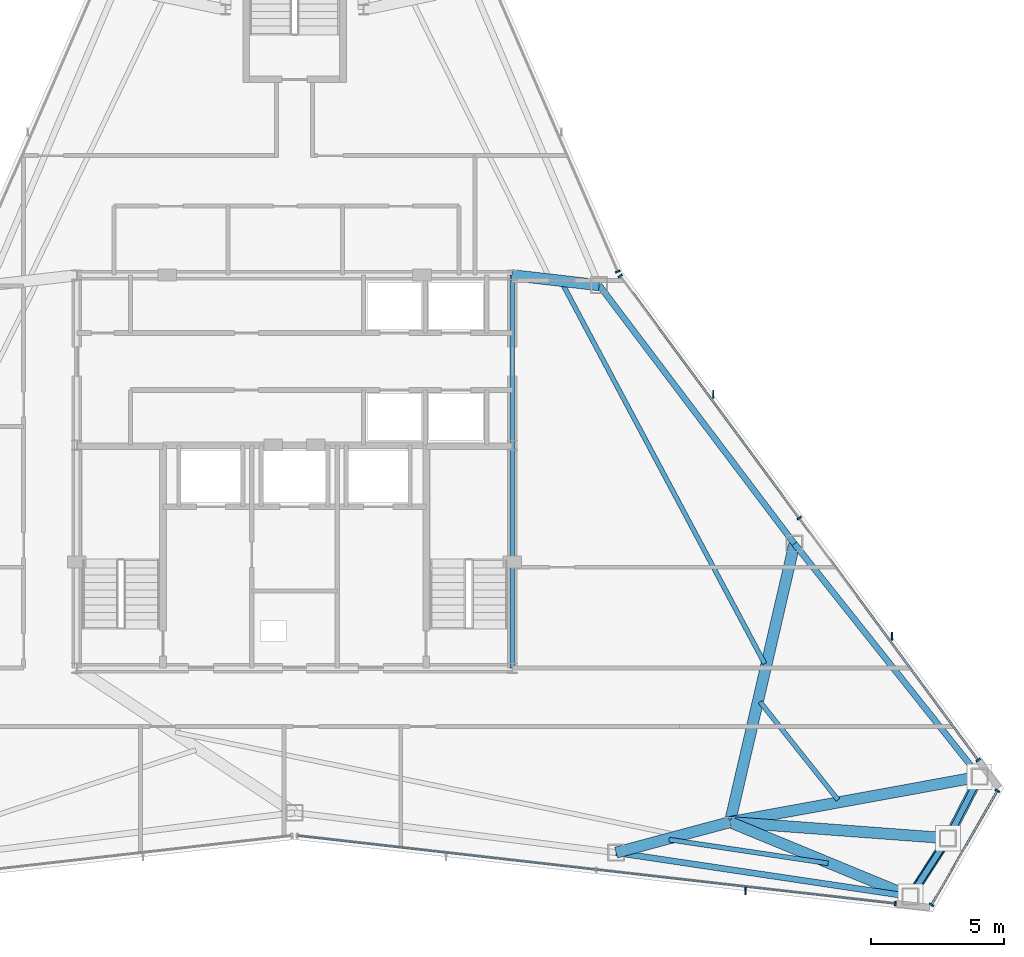
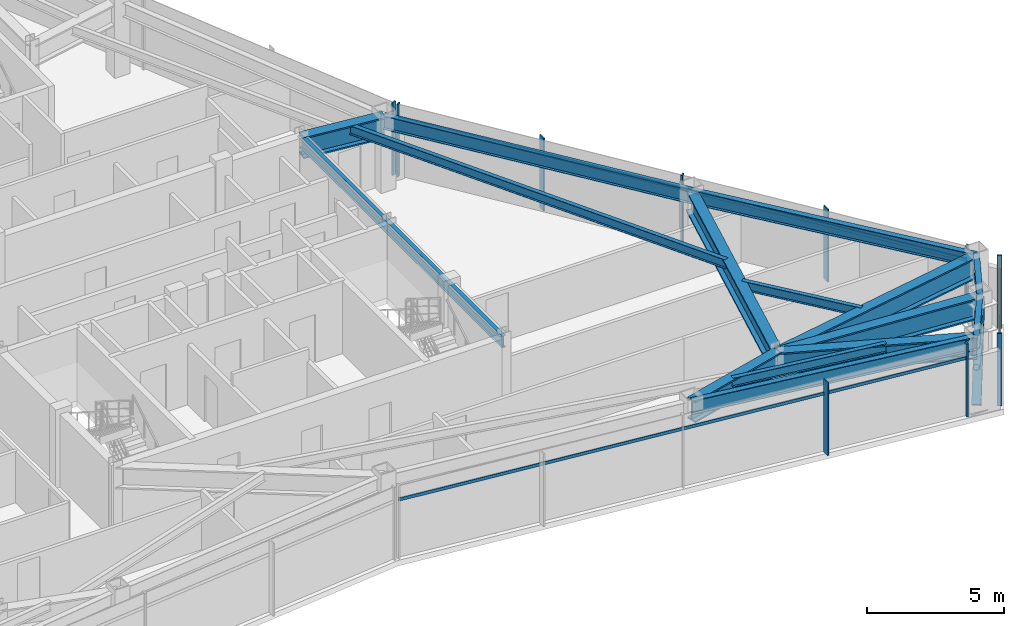
# One storey, part 6 of 12: 16 members, 15 beams, 4 elements without a shape of their own.
"""IFC4 building model written with IfcOpenShell, lengths in metres."""

import ifcopenshell
import ifcopenshell.guid

model = None  # the IFC model being written
_history = None  # IfcOwnerHistory: only IFC2X3 demands one
_inside = {}  # id of a spatial element -> (the spatial element, [elements in it])
_under = {}  # id of a project, library or spatial element -> (it, [spatial elements below it])
_declared = {}  # id of a project -> (the project, [libraries it declares])
_typed = {}  # id of a type object -> (the type object, [elements of that type])
_made_of = {}  # id of a material, layer set ... -> (it, [elements and type objects made of it])


def new_model(schema):
    """Start an empty IFC model of exactly this schema.

    Asked for "IFC4X3", IfcOpenShell would pick the latest addendum, in which some entities
    have other attributes; the version numbers below select the first issue.
    IFC2X3 requires an IfcOwnerHistory on every rooted entity: one is made here for all.
    """
    global model, _history
    if schema == "IFC4X3":
        model = ifcopenshell.file(schema_version=(4, 3, 0, 0))
    else:
        model = ifcopenshell.file(schema=schema)
    _inside.clear()
    _under.clear()
    _declared.clear()
    _typed.clear()
    _made_of.clear()
    _history = None
    if model.schema == "IFC2X3":
        org = make("IfcOrganization", Name="unknown")
        user = make(
            "IfcPersonAndOrganization",
            ThePerson=make("IfcPerson", FamilyName="unknown"),
            TheOrganization=org,
        )
        app = make(
            "IfcApplication",
            ApplicationDeveloper=org,
            Version="unknown",
            ApplicationFullName="unknown",
            ApplicationIdentifier="unknown",
        )
        _history = make(
            "IfcOwnerHistory",
            OwningUser=user,
            OwningApplication=app,
            ChangeAction="ADDED",
            CreationDate=0,
        )
    return model


def make(cls, **values):
    """One entity of the class cls with the attributes given. An attribute that is None is left unset."""
    return model.create_entity(
        cls, **{name: value for name, value in values.items() if value is not None}
    )


def rooted(cls, **values):
    """An entity with a GlobalId (a new one), such as an element, a storey or a relation."""
    return make(cls, GlobalId=ifcopenshell.guid.new(), OwnerHistory=_history, **values)


def si_unit(unit_type, name, prefix=None):
    """IfcSIUnit, for example si_unit("LENGTHUNIT", "METRE", prefix="MILLI")."""
    return make("IfcSIUnit", UnitType=unit_type, Prefix=prefix, Name=name)


def assignment(units):
    """IfcUnitAssignment: the units of a project."""
    return None if units is None else make("IfcUnitAssignment", Units=units)


def point(xyz):
    """IfcCartesianPoint."""
    return None if xyz is None else make("IfcCartesianPoint", Coordinates=xyz)


def direction(xyz):
    """IfcDirection."""
    return None if xyz is None else make("IfcDirection", DirectionRatios=xyz)


def frame(location, z_axis=None, x_axis=None):
    """IfcAxis2Placement3D, a coordinate frame: its origin and axes. An axis left out is left unset."""
    return make(
        "IfcAxis2Placement3D",
        Location=point(location),
        Axis=direction(z_axis),
        RefDirection=direction(x_axis),
    )


def frame_2d(location, x_axis=None):
    """IfcAxis2Placement2D, a coordinate frame in the plane: its origin and x axis."""
    return make(
        "IfcAxis2Placement2D", Location=point(location), RefDirection=direction(x_axis)
    )


def origin():
    """The frame at (0, 0, 0) with its axes left unset."""
    return frame((0.0, 0.0, 0.0))


def origin_2d():
    """The frame at (0, 0) in the plane with its x axis left unset."""
    return frame_2d((0.0, 0.0))


def place(relative_to, where):
    """IfcLocalPlacement: puts the frame where relative to a parent placement (None: the world)."""
    return make(
        "IfcLocalPlacement", PlacementRelTo=relative_to, RelativePlacement=where
    )


def context(
    kind, dimensions, precision=None, world=None, true_north=None, identifier=None
):
    """IfcGeometricRepresentationContext, for example the 3D "Model" context."""
    return make(
        "IfcGeometricRepresentationContext",
        ContextIdentifier=identifier,
        ContextType=kind,
        CoordinateSpaceDimension=dimensions,
        Precision=precision,
        WorldCoordinateSystem=world,
        TrueNorth=true_north,
    )


def subcontext(parent, identifier, kind, view, scale=None):
    """IfcGeometricRepresentationSubContext, for example "Body" below "Model"."""
    return make(
        "IfcGeometricRepresentationSubContext",
        ContextIdentifier=identifier,
        ContextType=kind,
        ParentContext=parent,
        TargetScale=scale,
        TargetView=view,
    )


def project(units=None, contexts=None):
    """IfcProject with its units and contexts."""
    return rooted(
        "IfcProject",
        Name="project",
        RepresentationContexts=contexts,
        UnitsInContext=assignment(units),
    )


def spatial(cls, under=None, at=None, **own):
    """A site, building, storey or space (cls), placed at a placement, below another one or the project."""
    s = rooted(cls, ObjectPlacement=at, **own)
    if under is not None:
        _under.setdefault(under.id(), (under, []))[1].append(s)
    return s


def profile(cls, at=None, kind="AREA", **sizes):
    """A parametric profile (cls). Its sizes go by their IFC names, for example OverallWidth=200.0."""
    return make(cls, ProfileType=kind, Position=at, **sizes)


def rectangle(**sizes):
    """IfcRectangleProfileDef."""
    return profile("IfcRectangleProfileDef", **sizes)


def hollow_rectangle(**sizes):
    """IfcRectangleHollowProfileDef."""
    return profile("IfcRectangleHollowProfileDef", **sizes)


def hollow_circle(**sizes):
    """IfcCircleHollowProfileDef."""
    return profile("IfcCircleHollowProfileDef", **sizes)


def i_section(**sizes):
    """IfcIShapeProfileDef."""
    return profile("IfcIShapeProfileDef", **sizes)


def extrude(swept, where, along, depth):
    """IfcExtrudedAreaSolid: the profile swept, set in the frame where, extruded along a direction by depth."""
    return make(
        "IfcExtrudedAreaSolid",
        SweptArea=swept,
        Position=where,
        ExtrudedDirection=direction(along),
        Depth=depth,
    )


def shape(context_of_items, identifier, shape_type, items):
    """IfcShapeRepresentation: the items that make up one representation, for example the "Body"."""
    return make(
        "IfcShapeRepresentation",
        ContextOfItems=context_of_items,
        RepresentationIdentifier=identifier,
        RepresentationType=shape_type,
        Items=items,
    )


def source(mapping_origin, context_of_items, identifier, shape_type, items):
    """IfcRepresentationMap: a shape defined once, which mapped items show again and again."""
    return make(
        "IfcRepresentationMap",
        MappingOrigin=mapping_origin,
        MappedRepresentation=shape(context_of_items, identifier, shape_type, items),
    )


def transform(
    local_origin,
    x_axis=None,
    y_axis=None,
    z_axis=None,
    scale=None,
    scale2=None,
    scale3=None,
    uniform=True,
):
    """IfcCartesianTransformationOperator3D, or its non-uniform kind. x_axis, y_axis, z_axis: its Axis1, 2, 3."""
    if uniform:
        return make(
            "IfcCartesianTransformationOperator3D",
            Axis1=direction(x_axis),
            Axis2=direction(y_axis),
            LocalOrigin=point(local_origin),
            Scale=scale,
            Axis3=direction(z_axis),
        )
    return make(
        "IfcCartesianTransformationOperator3DnonUniform",
        Axis1=direction(x_axis),
        Axis2=direction(y_axis),
        LocalOrigin=point(local_origin),
        Scale=scale,
        Axis3=direction(z_axis),
        Scale2=scale2,
        Scale3=scale3,
    )


def mapped(mapping_source, mapping_target):
    """IfcMappedItem: shows the shape of a source again, moved by a transform."""
    return make(
        "IfcMappedItem", MappingSource=mapping_source, MappingTarget=mapping_target
    )


def material(Name=None, Category=None):
    """IfcMaterial."""
    return make("IfcMaterial", Name=Name, Category=Category)


def layer(
    of_material, thickness, ventilated=None, Name=None, Category=None, Priority=None
):
    """IfcMaterialLayer: one layer of a wall or slab, of a material (None: an air gap)."""
    return make(
        "IfcMaterialLayer",
        Material=of_material,
        LayerThickness=thickness,
        IsVentilated=ventilated,
        Name=Name,
        Category=Category,
        Priority=Priority,
    )


def layer_set(layers, Name=None):
    """IfcMaterialLayerSet."""
    return make("IfcMaterialLayerSet", MaterialLayers=layers, LayerSetName=Name)


def material_profile(
    of_material, cross_section, Name=None, Category=None, Priority=None
):
    """IfcMaterialProfile: a cross section and its material."""
    return make(
        "IfcMaterialProfile",
        Name=Name,
        Material=of_material,
        Profile=cross_section,
        Priority=Priority,
        Category=Category,
    )


def profile_set(profiles, Name=None, composite=None):
    """IfcMaterialProfileSet."""
    return make(
        "IfcMaterialProfileSet",
        Name=Name,
        MaterialProfiles=profiles,
        CompositeProfile=composite,
    )


def made_of(thing, what):
    """Note that an element or type object is made of a material, layer set ...; save() writes the relation."""
    if what is not None:
        _made_of.setdefault(what.id(), (what, []))[1].append(thing)
    return thing


def type_object(cls, material=None, **own):
    """A type object (cls), such as IfcWallType, which elements share."""
    return made_of(rooted(cls, **own), material)


def type_shapes(of_type, sources):
    """Give a type object the sources (RepresentationMaps) that its elements show as mapped items."""
    of_type.RepresentationMaps = sources


def element(
    cls,
    number,
    at=None,
    inside=None,
    cuts=None,
    type_object=None,
    material=None,
    context=None,
    identifier="Body",
    shape_type=None,
    held_by="IfcProductDefinitionShape",
    body=None,
    shapes=None,
    **own,
):
    """One element of the class cls, such as IfcWall. Its Tag is "e" and its number.

    at: its placement. inside: the storey or other place that contains it. cuts: it is an
    opening in that element (IfcRelVoidsElement). A single representation is given by context,
    identifier, shape_type and body (its items); several are given by shapes. held_by: the class
    of the entity that holds the representations. save() writes the other relations.
    """
    e = rooted(cls, Tag="e%d" % number, ObjectPlacement=at, **own)
    if body is not None:
        shapes = [shape(context, identifier, shape_type, body)]
    if shapes is not None:
        e.Representation = make(held_by, Representations=shapes)
    if inside is not None:
        _inside.setdefault(inside.id(), (inside, []))[1].append(e)
    if cuts is not None:
        rooted(
            "IfcRelVoidsElement", RelatingBuildingElement=cuts, RelatedOpeningElement=e
        )
    if type_object is not None:
        _typed.setdefault(type_object.id(), (type_object, []))[1].append(e)
    return made_of(e, material)


def aggregate(whole, parts):
    """IfcRelAggregates: a whole, such as a stair, and the parts it consists of."""
    return rooted("IfcRelAggregates", RelatingObject=whole, RelatedObjects=parts)


def save(model, path):
    """Write the relations noted so far, then the file.

    IfcRelAggregates (storeys below a building ...), IfcRelContainedInSpatialStructure (elements
    in a storey), IfcRelDefinesByType, IfcRelAssociatesMaterial and IfcRelDeclares: one each for
    every whole, place, type object, material and project.
    """
    for whole, parts in _under.values():
        aggregate(whole, parts)
    for where, things in _inside.values():
        rooted(
            "IfcRelContainedInSpatialStructure",
            RelatedElements=things,
            RelatingStructure=where,
        )
    for kind, things in _typed.values():
        rooted("IfcRelDefinesByType", RelatedObjects=things, RelatingType=kind)
    for what, things in _made_of.values():
        rooted("IfcRelAssociatesMaterial", RelatedObjects=things, RelatingMaterial=what)
    for by, libraries in _declared.values():
        rooted("IfcRelDeclares", RelatingContext=by, RelatedDefinitions=libraries)
    model.write(path)


model = new_model("IFC4")

# Units and contexts
model_context = context("Model", 3, precision=1e-05, world=origin(), true_north=direction((0.0, 1.0)))
body_context = subcontext(model_context, "Body", "Model", "MODEL_VIEW")
ifc_project = project(units=[si_unit("LENGTHUNIT", "METRE"), si_unit("AREAUNIT", "SQUARE_METRE"), si_unit("VOLUMEUNIT", "CUBIC_METRE"), si_unit("PLANEANGLEUNIT", "RADIAN"), si_unit("MASSUNIT", "GRAM", prefix="KILO")], contexts=[model_context])

# Site, building, storey
site_placement = place(None, origin())
site = spatial("IfcSite", under=ifc_project, at=site_placement, CompositionType="ELEMENT")
building_placement = place(site_placement, origin())
building = spatial("IfcBuilding", under=site, at=building_placement, Name="Varakhsha Concourse Tower", CompositionType="ELEMENT")
storey_placement = place(building_placement, frame((0.0, 0.0, 276.0)))
storey = spatial("IfcBuildingStorey", under=building, at=storey_placement, Name="L78", CompositionType="ELEMENT", Elevation=276.0)

# Beams
ifc_material_1 = material(Name="Structural Steel ASTM A992 Grade 50", Category="steel")
ifc_material_profile_1 = material_profile(ifc_material_1, i_section(OverallWidth=0.177978515625, OverallDepth=0.406982421875, WebThickness=0.008056640625, FlangeThickness=0.012939453125, at=origin_2d()), Name="W16X40")
ifc_profile_set_1 = profile_set([ifc_material_profile_1], Name="Structural Steel ASTM A992 Grade 50")
beam_type_1 = type_object("IfcBeamType", Name="BM-JST-W16X40", PredefinedType="JOIST", material=ifc_profile_set_1)
beam_1_placement = place(storey_placement, frame((54.1064453125, 9.940673828125, 3.04638671875), z_axis=(0.989050778545, -0.14757559913, 0.0), x_axis=(0.14757559913, 0.989050778545, 0.0)))
element("IfcBeam", 1, at=beam_1_placement, inside=storey, type_object=beam_type_1, Name="BM-TJST-L78-12", PredefinedType="JOIST", context=body_context, shape_type="SweptSolid", body=[
    extrude(i_section(OverallWidth=0.177978515625, OverallDepth=0.406982421875, WebThickness=0.008056640625, FlangeThickness=0.012939453125, at=origin_2d()), origin(), (0.0, 0.0, 1.0), 6.056640625),
])
beam_2_placement = place(storey_placement, frame((60.468505859375, 11.43994140625, 3.04638671875), z_axis=(-0.622297049911, 0.782781183775, 0.0), x_axis=(-0.782781183775, -0.622297049911, 0.0)))
element("IfcBeam", 2, at=beam_2_placement, inside=storey, type_object=beam_type_1, Name="BM-TJST-L78-15", PredefinedType="JOIST", context=body_context, shape_type="SweptSolid", body=[
    extrude(i_section(OverallWidth=0.177978515625, OverallDepth=0.406982421875, WebThickness=0.008056640625, FlangeThickness=0.012939453125, at=origin_2d()), origin(), (0.0, 0.0, 1.0), 4.71142578125),
])
beam_3_placement = place(storey_placement, frame((57.707763671875, 16.569580078125, 3.04638671875), z_axis=(-0.469879718571, 0.88273045154, 0.0), x_axis=(-0.88273045154, -0.469879718571, 0.0)))
element("IfcBeam", 3, at=beam_3_placement, inside=storey, type_object=beam_type_1, Name="BM-TJST-L78-16", PredefinedType="JOIST", context=body_context, shape_type="SweptSolid", body=[
    extrude(i_section(OverallWidth=0.177978515625, OverallDepth=0.406982421875, WebThickness=0.008056640625, FlangeThickness=0.012939453125, at=origin_2d()), origin(), (0.0, 0.0, 1.0), 16.224853515625),
])
ifc_material_profile_2 = material_profile(ifc_material_1, i_section(OverallWidth=0.423095703125, OverallDepth=0.947998046875, WebThickness=0.0380859375, FlangeThickness=0.06396484375, at=origin_2d()), Name="W36X302")
ifc_profile_set_2 = profile_set([ifc_material_profile_2], Name="Structural Steel ASTM A992 Grade 50")
beam_type_2 = type_object("IfcBeamType", Name="BM-OUTR-W36X302", PredefinedType="USERDEFINED", material=ifc_profile_set_2)
beam_4_placement = place(storey_placement, frame((56.39990234375, 10.60009765625, 2.77587890625), z_axis=(-0.965982637978, -0.258606927838, 0.0), x_axis=(0.258606927838, -0.965982637978, 0.0)))
element("IfcBeam", 4, at=beam_4_placement, inside=storey, type_object=beam_type_2, Name="L78 Radial Floor Girder 12", ObjectType="GIRDER", PredefinedType="USERDEFINED", context=body_context, shape_type="SweptSolid", body=[
    extrude(i_section(OverallWidth=0.423095703125, OverallDepth=0.947998046875, WebThickness=0.0380859375, FlangeThickness=0.06396484375, at=origin_2d()), origin(), (0.0, 0.0, 1.0), 4.44091796875),
])
beam_5_placement = place(storey_placement, frame((56.39990234375, 10.60009765625, 2.77587890625), z_axis=(0.924468161954, -0.381259252392, 0.0), x_axis=(0.381259252392, 0.924468161954, 0.0)))
element("IfcBeam", 5, at=beam_5_placement, inside=storey, type_object=beam_type_2, Name="L78 Radial Floor Girder 13", ObjectType="GIRDER", PredefinedType="USERDEFINED", context=body_context, shape_type="SweptSolid", body=[
    extrude(i_section(OverallWidth=0.423095703125, OverallDepth=0.947998046875, WebThickness=0.0380859375, FlangeThickness=0.06396484375, at=origin_2d()), origin(), (0.0, 0.0, 1.0), 7.3505859375),
])
beam_6_placement = place(storey_placement, frame((56.39990234375, 10.60009765625, 2.77587890625), z_axis=(0.997265326359, -0.073904457528, 0.0), x_axis=(0.073904457528, 0.997265326359, 0.0)))
element("IfcBeam", 6, at=beam_6_placement, inside=storey, type_object=beam_type_2, Name="L78 Radial Floor Girder 14", ObjectType="GIRDER", PredefinedType="USERDEFINED", context=body_context, shape_type="SweptSolid", body=[
    extrude(i_section(OverallWidth=0.423095703125, OverallDepth=0.947998046875, WebThickness=0.0380859375, FlangeThickness=0.06396484375, at=origin_2d()), origin(), (0.0, 0.0, 1.0), 8.232177734375),
])
beam_7_placement = place(storey_placement, frame((56.39990234375, 10.60009765625, 2.77587890625), z_axis=(0.983804040319, 0.179247343778, 0.0), x_axis=(-0.179247343778, 0.983804040319, 0.0)))
element("IfcBeam", 7, at=beam_7_placement, inside=storey, type_object=beam_type_2, Name="L78 Radial Floor Girder 15", ObjectType="GIRDER", PredefinedType="USERDEFINED", context=body_context, shape_type="SweptSolid", body=[
    extrude(i_section(OverallWidth=0.423095703125, OverallDepth=0.947998046875, WebThickness=0.0380859375, FlangeThickness=0.06396484375, at=origin_2d()), origin(), (0.0, 0.0, 1.0), 9.557373046875),
])
beam_8_placement = place(storey_placement, frame((56.39990234375, 10.60009765625, 2.77587890625), z_axis=(0.225527043555, 0.974236907854, 0.0), x_axis=(-0.974236907854, 0.225527043555, 0.0)))
element("IfcBeam", 8, at=beam_8_placement, inside=storey, type_object=beam_type_2, Name="L78 Radial Floor Girder 16", ObjectType="GIRDER", PredefinedType="USERDEFINED", context=body_context, shape_type="SweptSolid", body=[
    extrude(i_section(OverallWidth=0.423095703125, OverallDepth=0.947998046875, WebThickness=0.0380859375, FlangeThickness=0.06396484375, at=origin_2d()), origin(), (0.0, 0.0, 1.0), 10.763671875),
])
beam_9_placement = place(storey_placement, frame((48.199951171875, 31.199951171875, 2.77587890625), z_axis=(0.993437473309, -0.114376512559, 0.0), x_axis=(0.114376512559, 0.993437473309, 0.0)))
element("IfcBeam", 9, at=beam_9_placement, inside=storey, type_object=beam_type_2, Name="L78 Radial Floor Girder 17", ObjectType="GIRDER", PredefinedType="USERDEFINED", context=body_context, shape_type="SweptSolid", body=[
    extrude(i_section(OverallWidth=0.423095703125, OverallDepth=0.947998046875, WebThickness=0.0380859375, FlangeThickness=0.06396484375, at=origin_2d()), origin(), (0.0, 0.0, 1.0), 3.293701171875),
])
ifc_material_profile_3 = material_profile(ifc_material_1, i_section(OverallWidth=0.1669921875, OverallDepth=0.534912109375, WebThickness=0.010009765625, FlangeThickness=0.01708984375, at=origin_2d()), Name="W21X57")
ifc_profile_set_3 = profile_set([ifc_material_profile_3], Name="Structural Steel ASTM A992 Grade 50")
beam_type_3 = type_object("IfcBeamType", Name="BM-RAD-W21X57", PredefinedType="BEAM", material=ifc_profile_set_3)
beam_10_placement = place(storey_placement, frame((48.199951171875, 16.39990234375, 2.982421875), z_axis=(0.0, 1.0, 0.0), x_axis=(-1.0, 0.0, 0.0)))
element("IfcBeam", 10, at=beam_10_placement, inside=storey, type_object=beam_type_3, Name="BM-TCORE-L78-CE", PredefinedType="BEAM", context=body_context, shape_type="SweptSolid", body=[
    extrude(i_section(OverallWidth=0.1669921875, OverallDepth=0.534912109375, WebThickness=0.010009765625, FlangeThickness=0.01708984375, at=origin_2d()), origin(), (0.0, 0.0, 1.0), 14.800048828125),
])
ifc_material_profile_4 = material_profile(ifc_material_1, i_section(OverallWidth=0.22900390625, OverallDepth=0.612060546875, WebThickness=0.011962890625, FlangeThickness=0.02001953125, at=origin_2d()), Name="W24X84")
ifc_profile_set_4 = profile_set([ifc_material_profile_4], Name="Structural Steel ASTM A992 Grade 50")
beam_type_4 = type_object("IfcBeamType", Name="BM-SPAN-W24X84", PredefinedType="SPANDREL", material=ifc_profile_set_4)
beam_11_placement = place(storey_placement, frame((52.110107421875, 9.45166015625, 2.944091796875), z_axis=(0.989050299735, -0.147578808076, 0.0), x_axis=(0.147578808076, 0.989050299735, 0.0)))
element("IfcBeam", 11, at=beam_11_placement, inside=storey, type_object=beam_type_4, Name="BM-SPAN-L78-12", PredefinedType="SPANDREL", context=body_context, shape_type="SweptSolid", body=[
    extrude(i_section(OverallWidth=0.22900390625, OverallDepth=0.612060546875, WebThickness=0.011962890625, FlangeThickness=0.02001953125, at=origin_2d()), origin(), (0.0, 0.0, 1.0), 11.2080078125),
])
beam_12_placement = place(storey_placement, frame((63.1953125, 7.797607421875, 2.944091796875), z_axis=(0.541792375817, 0.840512356546, 0.0), x_axis=(-0.840512356546, 0.541792375817, 0.0)))
element("IfcBeam", 12, at=beam_12_placement, inside=storey, type_object=beam_type_4, Name="BM-SPAN-L78-13", PredefinedType="SPANDREL", context=body_context, shape_type="SweptSolid", body=[
    extrude(i_section(OverallWidth=0.22900390625, OverallDepth=0.612060546875, WebThickness=0.011962890625, FlangeThickness=0.02001953125, at=origin_2d()), origin(), (0.0, 0.0, 1.0), 2.6103515625),
])
beam_13_placement = place(storey_placement, frame((64.609619140625, 9.99169921875, 2.944091796875), z_axis=(0.457026728921, 0.889452960562, 0.0), x_axis=(-0.889452960562, 0.457026728921, 0.0)))
element("IfcBeam", 13, at=beam_13_placement, inside=storey, type_object=beam_type_4, Name="BM-SPAN-L78-14", PredefinedType="SPANDREL", context=body_context, shape_type="SweptSolid", body=[
    extrude(i_section(OverallWidth=0.22900390625, OverallDepth=0.612060546875, WebThickness=0.011962890625, FlangeThickness=0.02001953125, at=origin_2d()), origin(), (0.0, 0.0, 1.0), 2.610107421875),
])
beam_14_placement = place(storey_placement, frame((65.802490234375, 12.313232421875, 2.944091796875), z_axis=(-0.62232797875, 0.782756594903, 0.0), x_axis=(-0.782756594903, -0.62232797875, 0.0)))
element("IfcBeam", 14, at=beam_14_placement, inside=storey, type_object=beam_type_4, Name="BM-SPAN-L78-15", PredefinedType="SPANDREL", context=body_context, shape_type="SweptSolid", body=[
    extrude(i_section(OverallWidth=0.22900390625, OverallDepth=0.612060546875, WebThickness=0.011962890625, FlangeThickness=0.02001953125, at=origin_2d()), origin(), (0.0, 0.0, 1.0), 11.2080078125),
])
beam_15_placement = place(storey_placement, frame((58.827392578125, 21.08642578125, 2.944091796875), z_axis=(-0.60276855687, 0.797916077572, 0.0), x_axis=(-0.797916077572, -0.60276855687, 0.0)))
element("IfcBeam", 15, at=beam_15_placement, inside=storey, type_object=beam_type_4, Name="BM-SPAN-L78-16", PredefinedType="SPANDREL", context=body_context, shape_type="SweptSolid", body=[
    extrude(i_section(OverallWidth=0.22900390625, OverallDepth=0.612060546875, WebThickness=0.011962890625, FlangeThickness=0.02001953125, at=origin_2d()), origin(), (0.0, 0.0, 1.0), 12.202880859375),
])

# Members
ifc_material_2 = material(Name="Structural Steel ASTM A500 Grade C", Category="steel")
ifc_material_profile_5 = material_profile(ifc_material_2, hollow_rectangle(XDim=0.35009765625, YDim=0.35009765625, WallThickness=0.01611328125, at=origin_2d()), Name="HSS 350x350x16")
ifc_profile_set_5 = profile_set([ifc_material_profile_5], Name="Structural Steel ASTM A500 Grade C")
member_type_1 = type_object("IfcMemberType", Name="MB-TUBE-HSS350", PredefinedType="BRACE", material=ifc_profile_set_5)
shared_shape_1 = source(origin(), body_context, "Body", "SweptSolid", [
    extrude(hollow_rectangle(XDim=0.35009765625, YDim=0.35009765625, WallThickness=0.01611328125, at=origin_2d()), origin(), (0.0, 0.0, 1.0), 3.849853515625),
])
member_1_placement = place(storey_placement, frame((63.1953125, 7.797607421875, 0.1201171875), z_axis=(0.367355317678, 0.569898539612, 0.735027703643), x_axis=(-0.840512356546, 0.541792375817, 0.0)))
element("IfcMember", 16, at=member_1_placement, inside=storey, type_object=member_type_1, Name="L78 Wind-Corner Tube Brace B05", PredefinedType="BRACE", context=body_context, shape_type="MappedRepresentation", body=[
    mapped(shared_shape_1, transform((0.0, 0.0, 0.0), scale=1.0)),
])
shared_shape_2 = source(origin(), body_context, "Body", "SweptSolid", [
    extrude(hollow_rectangle(XDim=0.35009765625, YDim=0.35009765625, WallThickness=0.01611328125, at=origin_2d()), origin(), (0.0, 0.0, 1.0), 3.849609375),
])
type_shapes(member_type_1, [shared_shape_1, shared_shape_2])
member_2_placement = place(storey_placement, frame((65.802490234375, 12.313232421875, 0.1201171875), z_axis=(-0.309858407684, -0.603037985809, 0.735073435011), x_axis=(0.889452960562, -0.457026728921, 0.0)))
element("IfcMember", 17, at=member_2_placement, inside=storey, type_object=member_type_1, Name="L78 Wind-Corner Tube Brace B06", PredefinedType="BRACE", context=body_context, shape_type="MappedRepresentation", body=[
    mapped(shared_shape_2, transform((0.0, 0.0, 0.0), scale=1.0)),
])
ifc_material_profile_6 = material_profile(ifc_material_2, hollow_circle(Radius=0.136474609375, WallThickness=0.011962890625, at=origin_2d()), Name="CHS 273x12")
ifc_profile_set_6 = profile_set([ifc_material_profile_6], Name="Structural Steel ASTM A500 Grade C")
member_type_2 = type_object("IfcMemberType", Name="MB-WIND-CHS273", PredefinedType="COLLAR", material=ifc_profile_set_6)
shared_shape_3 = source(origin(), body_context, "Body", "SweptSolid", [
    extrude(hollow_circle(Radius=0.136474609375, WallThickness=0.011962890625, at=origin_2d()), origin(), (0.0, 0.0, 1.0), 2.6103515625),
])
type_shapes(member_type_2, [shared_shape_3])
member_3_placement = place(storey_placement, frame((63.1953125, 7.797607421875, 1.800048828125), z_axis=(0.541792375817, 0.840512356546, 0.0), x_axis=(-0.840512356546, 0.541792375817, 0.0)))
element("IfcMember", 18, at=member_3_placement, inside=storey, type_object=member_type_2, Name="L78 Wind-Corner Collar Tie 3", PredefinedType="COLLAR", context=body_context, shape_type="MappedRepresentation", body=[
    mapped(shared_shape_3, transform((0.0, 0.0, 0.0), scale=1.0)),
])

# Curtain wall, member
ifc_material_3 = material(Name="Anodised Bronze Architectural Aluminium AA 6063-T6", Category="aluminium")
ifc_layer = layer(ifc_material_3, 0.199951171875, Name="CW-SYS-05")
ifc_layer_set = layer_set([ifc_layer], Name="Anodised Bronze Architectural Aluminium AA 6063-T6")
curtain_wall_type = type_object("IfcCurtainWallType", Name="CW-SYS-05", PredefinedType="NOTDEFINED", material=ifc_layer_set)
curtain_wall_1_placement = place(storey_placement, origin())
curtain_wall_1 = element("IfcCurtainWall", 19, at=curtain_wall_1_placement, inside=storey, type_object=curtain_wall_type, Name="L78 Crystal Curtain Wall F6", PredefinedType="NOTDEFINED")
ifc_material_profile_7 = material_profile(ifc_material_3, rectangle(XDim=0.06494140625, YDim=0.179931640625, at=origin_2d()), Name="CWM-180X65")
ifc_profile_set_7 = profile_set([ifc_material_profile_7], Name="Anodised Bronze Architectural Aluminium AA 6063-T6")
member_type_3 = type_object("IfcMemberType", Name="CWM-180X65", PredefinedType="MULLION", material=ifc_profile_set_7)
shared_shape_4 = source(origin(), body_context, "Body", "SweptSolid", [
    extrude(rectangle(XDim=0.06494140625, YDim=0.179931640625, at=origin_2d()), origin(), (0.0, 0.0, 1.0), 3.25),
])
type_shapes(member_type_3, [shared_shape_4])
member_4_placement = place(storey_placement, frame((62.62890625, 7.532470703125, 0.0), z_axis=(0.0, 0.0, 1.0), x_axis=(-0.993612689247, 0.112844245613, 0.0)))
member_4 = element("IfcMember", 20, at=member_4_placement, type_object=member_type_3, Name="CW-L78-F6 Mullion 00", PredefinedType="MULLION", context=body_context, shape_type="MappedRepresentation", body=[
    mapped(shared_shape_4, transform((0.0, 0.0, 0.0), scale=1.0)),
])

# Curtain wall, members
curtain_wall_2_placement = place(storey_placement, origin())
curtain_wall_2 = element("IfcCurtainWall", 21, at=curtain_wall_2_placement, inside=storey, type_object=curtain_wall_type, Name="L78 Chamfer Curtain Wall F7", PredefinedType="NOTDEFINED")
member_5_placement = place(storey_placement, frame((66.47314453125, 11.779296875, 0.0), z_axis=(0.0, 0.0, 1.0), x_axis=(-0.499989419466, -0.866031512372, 0.0)))
member_5 = element("IfcMember", 22, at=member_5_placement, type_object=member_type_3, Name="CW-L78-F7 Mullion 00", PredefinedType="MULLION", context=body_context, shape_type="MappedRepresentation", body=[
    mapped(shared_shape_4, transform((0.0, 0.0, 0.0), scale=1.0)),
])
member_6_placement = place(storey_placement, frame((63.9931640625, 7.48388671875, 0.0), z_axis=(0.0, 0.0, 1.0), x_axis=(-0.499989419466, -0.866031512372, 0.0)))
member_6 = element("IfcMember", 23, at=member_6_placement, type_object=member_type_3, Name="CW-L78-F7 Mullion 01", PredefinedType="MULLION", context=body_context, shape_type="MappedRepresentation", body=[
    mapped(shared_shape_4, transform((0.0, 0.0, 0.0), scale=1.0)),
])

curtain_wall_3_placement = place(storey_placement, origin())
curtain_wall_3 = element("IfcCurtainWall", 24, at=curtain_wall_3_placement, inside=storey, type_object=curtain_wall_type, Name="L78 Crystal Curtain Wall F8", PredefinedType="NOTDEFINED")
member_7_placement = place(storey_placement, frame((52.26708984375, 31.169921875, 0.0), z_axis=(0.0, 0.0, 1.0), x_axis=(0.594533731364, -0.804070669948, 0.0)))
member_7 = element("IfcMember", 25, at=member_7_placement, type_object=member_type_3, Name="CW-L78-F8 Mullion 00", PredefinedType="MULLION", context=body_context, shape_type="MappedRepresentation", body=[
    mapped(shared_shape_4, transform((0.0, 0.0, 0.0), scale=1.0)),
])
member_8_placement = place(storey_placement, frame((59.008056640625, 22.05322265625, 0.0), z_axis=(0.0, 0.0, 1.0), x_axis=(0.594533731364, -0.804070669948, 0.0)))
member_8 = element("IfcMember", 26, at=member_8_placement, type_object=member_type_3, Name="CW-L78-F8 Mullion 01", PredefinedType="MULLION", context=body_context, shape_type="MappedRepresentation", body=[
    mapped(shared_shape_4, transform((0.0, 0.0, 0.0), scale=1.0)),
])
member_9_placement = place(storey_placement, frame((65.748779296875, 12.9365234375, 0.0), z_axis=(0.0, 0.0, 1.0), x_axis=(0.594533731364, -0.804070669948, 0.0)))
member_9 = element("IfcMember", 27, at=member_9_placement, type_object=member_type_3, Name="CW-L78-F8 Mullion 02", PredefinedType="MULLION", context=body_context, shape_type="MappedRepresentation", body=[
    mapped(shared_shape_4, transform((0.0, 0.0, 0.0), scale=1.0)),
])

# Curtain wall, member
curtain_wall_4_placement = place(storey_placement, origin())
curtain_wall_4 = element("IfcCurtainWall", 28, at=curtain_wall_4_placement, inside=storey, type_object=curtain_wall_type, Name="L78 Crystal Curtain Wall F9", PredefinedType="NOTDEFINED")
member_10_placement = place(storey_placement, frame((52.169677734375, 31.3388671875, 0.0), z_axis=(0.0, 0.0, 1.0), x_axis=(0.39908356189, -0.916914560158, 0.0)))
member_10 = element("IfcMember", 29, at=member_10_placement, type_object=member_type_3, Name="CW-L78-F9 Mullion 02", PredefinedType="MULLION", context=body_context, shape_type="MappedRepresentation", body=[
    mapped(shared_shape_4, transform((0.0, 0.0, 0.0), scale=1.0)),
])
aggregate(curtain_wall_4, [member_10])

# Member
ifc_material_profile_8 = material_profile(ifc_material_3, rectangle(XDim=0.054931640625, YDim=0.300048828125, at=origin_2d()), Name="FIN-BRZ-300")
ifc_profile_set_8 = profile_set([ifc_material_profile_8], Name="Anodised Bronze Architectural Aluminium AA 6063-T6")
member_type_4 = type_object("IfcMemberType", Name="FIN-BRZ-300", PredefinedType="USERDEFINED", material=ifc_profile_set_8)
shared_shape_5 = source(origin(), body_context, "Body", "SweptSolid", [
    extrude(rectangle(XDim=0.054931640625, YDim=0.300048828125, at=origin_2d()), origin(), (0.0, 0.0, 1.0), 3.25),
])
type_shapes(member_type_4, [shared_shape_5])
member_11_placement = place(storey_placement, frame((56.977294921875, 8.00830078125, 0.0), z_axis=(0.0, 0.0, 1.0), x_axis=(1.0, 0.0, 0.0)))
member_11 = element("IfcMember", 30, at=member_11_placement, type_object=member_type_4, Name="L78 Anodised Bronze Solar Fin F6-1", ObjectType="SOLAR FIN", PredefinedType="USERDEFINED", context=body_context, shape_type="MappedRepresentation", body=[
    mapped(shared_shape_5, transform((0.0, 0.0, 0.0), scale=1.0)),
])

member_12_placement = place(storey_placement, frame((55.770263671875, 26.709716796875, 0.0), z_axis=(0.0, 0.0, 1.0), x_axis=(1.0, 0.0, 0.0)))
member_12 = element("IfcMember", 31, at=member_12_placement, type_object=member_type_4, Name="L78 Anodised Bronze Solar Fin F8-1", ObjectType="SOLAR FIN", PredefinedType="USERDEFINED", context=body_context, shape_type="MappedRepresentation", body=[
    mapped(shared_shape_5, transform((0.0, 0.0, 0.0), scale=1.0)),
])

member_13_placement = place(storey_placement, frame((62.510986328125, 17.593017578125, 0.0), z_axis=(0.0, 0.0, 1.0), x_axis=(1.0, 0.0, 0.0)))
member_13 = element("IfcMember", 32, at=member_13_placement, type_object=member_type_4, Name="L78 Anodised Bronze Solar Fin F8-2", ObjectType="SOLAR FIN", PredefinedType="USERDEFINED", context=body_context, shape_type="MappedRepresentation", body=[
    mapped(shared_shape_5, transform((0.0, 0.0, 0.0), scale=1.0)),
])

ifc_material_profile_9 = material_profile(ifc_material_3, rectangle(XDim=0.06005859375, YDim=0.139892578125, at=origin_2d()), Name="CWT-140X60")
ifc_profile_set_9 = profile_set([ifc_material_profile_9], Name="Anodised Bronze Architectural Aluminium AA 6063-T6")
member_type_5 = type_object("IfcMemberType", Name="CWT-140X60", PredefinedType="USERDEFINED", material=ifc_profile_set_9)
shared_shape_6 = source(origin(), body_context, "Body", "SweptSolid", [
    extrude(rectangle(XDim=0.06005859375, YDim=0.139892578125, at=origin_2d()), origin(), (0.0, 0.0, 1.0), 4.9599609375),
])
member_14_placement = place(storey_placement, frame((66.47314453125, 11.779296875, 2.60009765625), z_axis=(-0.50000366821, -0.866023285932, 0.0), x_axis=(0.866023285932, -0.50000366821, 0.0)))
member_14 = element("IfcMember", 33, at=member_14_placement, type_object=member_type_5, Name="CW-L78-F7 Transom 01", ObjectType="TRANSOM", PredefinedType="USERDEFINED", context=body_context, shape_type="MappedRepresentation", body=[
    mapped(shared_shape_6, transform((0.0, 0.0, 0.0), scale=1.0)),
])

aggregate(curtain_wall_2, [member_5, member_6, member_14])

shared_shape_7 = source(origin(), body_context, "Body", "SweptSolid", [
    extrude(rectangle(XDim=0.06005859375, YDim=0.139892578125, at=origin_2d()), origin(), (0.0, 0.0, 1.0), 22.67626953125),
])
type_shapes(member_type_5, [shared_shape_6, shared_shape_7])
member_15_placement = place(storey_placement, frame((62.62890625, 7.532470703125, 2.60009765625), z_axis=(-0.99361296623, 0.112841806706, 0.0), x_axis=(-0.112841806706, -0.99361296623, 0.0)))
member_15 = element("IfcMember", 34, at=member_15_placement, type_object=member_type_5, Name="CW-L78-F6 Transom 01", ObjectType="TRANSOM", PredefinedType="USERDEFINED", context=body_context, shape_type="MappedRepresentation", body=[
    mapped(shared_shape_7, transform((0.0, 0.0, 0.0), scale=1.0)),
])

aggregate(curtain_wall_1, [member_4, member_15, member_11])

member_16_placement = place(storey_placement, frame((52.26708984375, 31.169921875, 2.60009765625), z_axis=(0.594528790613, -0.80407432314, 0.0), x_axis=(0.80407432314, 0.594528790613, 0.0)))
member_16 = element("IfcMember", 35, at=member_16_placement, type_object=member_type_5, Name="CW-L78-F8 Transom 01", ObjectType="TRANSOM", PredefinedType="USERDEFINED", context=body_context, shape_type="MappedRepresentation", body=[
    mapped(shared_shape_7, transform((0.0, 0.0, 0.0), scale=1.0)),
])

aggregate(curtain_wall_3, [member_7, member_8, member_9, member_16, member_12, member_13])

save(model, "model.ifc")
